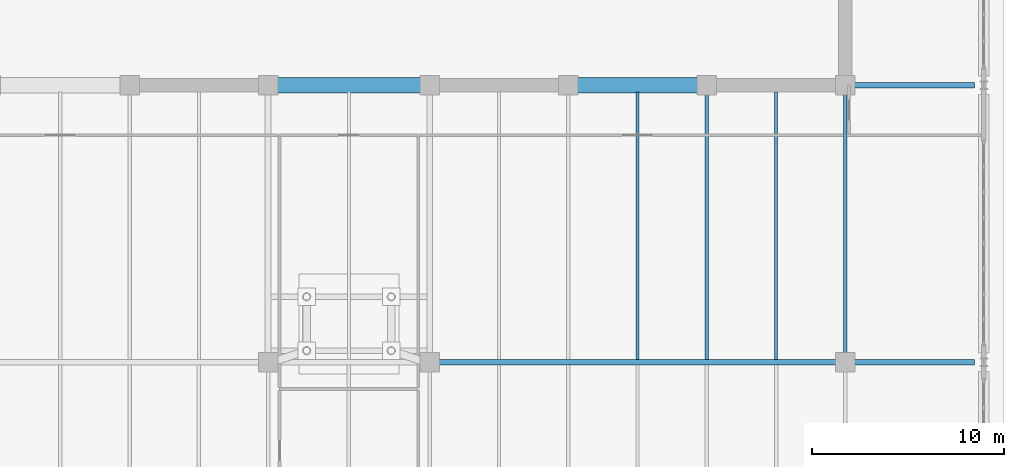
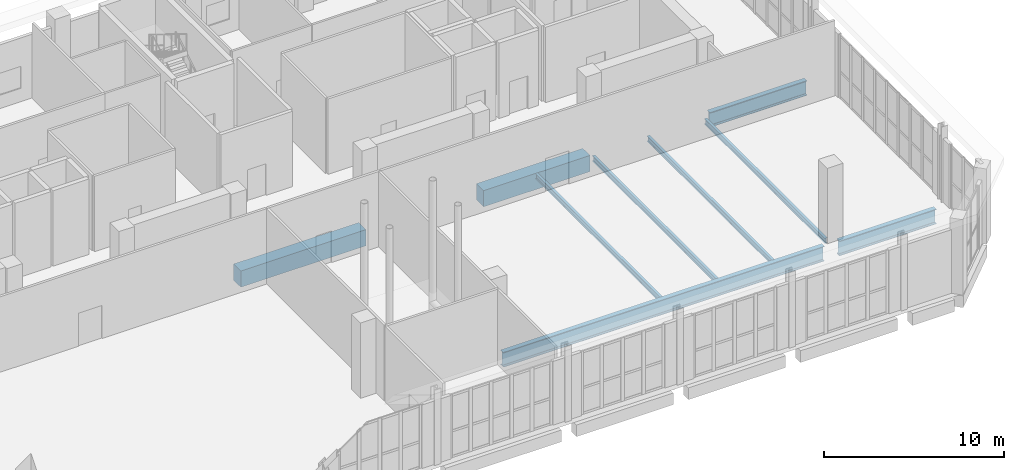
# One storey, part 11 of 26: 9 beams.
"""IFC4 building model written with IfcOpenShell, lengths in metres."""

from ifc_helpers import new_model, si_unit, direction, frame, origin, origin_2d, place, context, subcontext, project, spatial, rectangle, i_section, extrude, material, material_profile, profile_set, type_object, element, save


model = new_model("IFC4")

# Units and contexts
model_context = context("Model", 3, precision=1e-05, world=origin(), true_north=direction((0.0, 1.0)))
body_context = subcontext(model_context, "Body", "Model", "MODEL_VIEW")
ifc_project = project(units=[si_unit("LENGTHUNIT", "METRE"), si_unit("AREAUNIT", "SQUARE_METRE"), si_unit("VOLUMEUNIT", "CUBIC_METRE"), si_unit("PLANEANGLEUNIT", "RADIAN"), si_unit("MASSUNIT", "GRAM", prefix="KILO")], contexts=[model_context])

# Site, building, storey
site_placement = place(None, origin())
site = spatial("IfcSite", under=ifc_project, at=site_placement, CompositionType="ELEMENT")
building_placement = place(site_placement, origin())
building = spatial("IfcBuilding", under=site, at=building_placement, Name="Kaelvorn Grand Hotel", CompositionType="ELEMENT")
storey_placement = place(building_placement, frame((0.0, 0.0, 294.699951171875)))
storey = spatial("IfcBuildingStorey", under=building, at=storey_placement, Name="L72", CompositionType="ELEMENT", Elevation=294.699951171875)

# Beams
ifc_material_1 = material(Name="Steel S460", Category="steel")
ifc_material_profile_1 = material_profile(ifc_material_1, i_section(OverallWidth=0.302001953125, OverallDepth=1.008056640625, WebThickness=0.02099609375, FlangeThickness=0.0400390625, FilletRadius=0.024169921875, at=origin_2d()), Name="UB 1016x305x349")
ifc_profile_set_1 = profile_set([ifc_material_profile_1], Name="Steel S460")
beam_type_1 = type_object("IfcBeamType", Name="BM-G-UB1016-S460", PredefinedType="BEAM", material=ifc_profile_set_1)
beam_1_placement = place(storey_placement, frame((46.68505859375, 15.0, -0.884033203125), z_axis=(1.0, 0.0, 0.0), x_axis=(0.0, 1.0, 0.0)))
element("IfcBeam", 1, at=beam_1_placement, inside=storey, type_object=beam_type_1, Name="L72 Primary Spine Steel Girder G-15 04", PredefinedType="BEAM", context=body_context, shape_type="SweptSolid", body=[
    extrude(i_section(OverallWidth=0.302001953125, OverallDepth=1.008056640625, WebThickness=0.02099609375, FlangeThickness=0.0400390625, FilletRadius=0.024169921875, at=origin_2d()), origin(), (0.0, 0.0, 1.0), 20.6298828125),
])
for number, where, z_axis, x_axis, name in (
    (2, (68.284912109375, 15.0, -0.884033203125), (1.0, 0.0, 0.0), (0.0, 1.0, 0.0), "L72 Primary Spine Steel Girder G-15 05"),
    (3, (68.284912109375, 29.39990234375, -0.884033203125), (1.0, 0.0, 0.0), (0.0, 1.0, 0.0), "L72 East Core Wing Steel Girder G-29E 01"),
):
    element("IfcBeam", number, at=place(storey_placement, frame(where, z_axis=z_axis, x_axis=x_axis)), inside=storey, type_object=beam_type_1, Name=name, PredefinedType="BEAM", context=body_context, shape_type="SweptSolid", body=[
        extrude(i_section(OverallWidth=0.302001953125, OverallDepth=1.008056640625, WebThickness=0.02099609375, FlangeThickness=0.0400390625, FilletRadius=0.024169921875, at=origin_2d()), origin(), (0.0, 0.0, 1.0), 6.22998046875),
    ])
ifc_material_2 = material(Name="Steel S355", Category="steel")
ifc_material_profile_2 = material_profile(ifc_material_2, i_section(OverallWidth=0.169921875, OverallDepth=0.360107421875, WebThickness=0.008056640625, FlangeThickness=0.0126953125, FilletRadius=0.01806640625, at=origin_2d()), Name="IPE 360")
ifc_profile_set_2 = profile_set([ifc_material_profile_2], Name="Steel S355")
beam_type_2 = type_object("IfcBeamType", Name="BM-J-IPE360-S355", PredefinedType="JOIST", material=ifc_profile_set_2)
beam_2_placement = place(storey_placement, frame((57.0, 15.135986328125, -0.56005859375), z_axis=(0.0, 1.0, 0.0), x_axis=(-1.0, 0.0, 0.0)))
element("IfcBeam", 4, at=beam_2_placement, inside=storey, type_object=beam_type_2, Name="L72 Composite Floor Joist JM-16", PredefinedType="JOIST", context=body_context, shape_type="SweptSolid", body=[
    extrude(i_section(OverallWidth=0.169921875, OverallDepth=0.360107421875, WebThickness=0.008056640625, FlangeThickness=0.0126953125, FilletRadius=0.01806640625, at=origin_2d()), origin(), (0.0, 0.0, 1.0), 13.924072265625),
])
beam_3_placement = place(storey_placement, frame((60.60009765625, 15.135986328125, -0.56005859375), z_axis=(0.0, 1.0, 0.0), x_axis=(-1.0, 0.0, 0.0)))
element("IfcBeam", 5, at=beam_3_placement, inside=storey, type_object=beam_type_2, Name="L72 Composite Floor Joist JM-17", PredefinedType="JOIST", context=body_context, shape_type="SweptSolid", body=[
    extrude(i_section(OverallWidth=0.169921875, OverallDepth=0.360107421875, WebThickness=0.008056640625, FlangeThickness=0.0126953125, FilletRadius=0.01806640625, at=origin_2d()), origin(), (0.0, 0.0, 1.0), 13.779052734375),
])
beam_4_placement = place(storey_placement, frame((64.199951171875, 15.135986328125, -0.56005859375), z_axis=(0.0, 1.0, 0.0), x_axis=(-1.0, 0.0, 0.0)))
element("IfcBeam", 6, at=beam_4_placement, inside=storey, type_object=beam_type_2, Name="L72 Composite Floor Joist JM-18", PredefinedType="JOIST", context=body_context, shape_type="SweptSolid", body=[
    extrude(i_section(OverallWidth=0.169921875, OverallDepth=0.360107421875, WebThickness=0.008056640625, FlangeThickness=0.0126953125, FilletRadius=0.01806640625, at=origin_2d()), origin(), (0.0, 0.0, 1.0), 13.924072265625),
])
beam_5_placement = place(storey_placement, frame((67.800048828125, 15.485107421875, -0.56005859375), z_axis=(0.0, 1.0, 0.0), x_axis=(-1.0, 0.0, 0.0)))
element("IfcBeam", 7, at=beam_5_placement, inside=storey, type_object=beam_type_2, Name="L72 Composite Floor Joist JM-19", PredefinedType="JOIST", context=body_context, shape_type="SweptSolid", body=[
    extrude(i_section(OverallWidth=0.169921875, OverallDepth=0.360107421875, WebThickness=0.008056640625, FlangeThickness=0.0126953125, FilletRadius=0.01806640625, at=origin_2d()), origin(), (0.0, 0.0, 1.0), 13.429931640625),
])
ifc_material_3 = material(Name="Concrete C60/75", Category="concrete")
ifc_material_profile_3 = material_profile(ifc_material_3, rectangle(XDim=0.800048828125, YDim=1.10009765625, at=origin_2d()), Name="RC LINTEL 800x1100")
ifc_profile_set_3 = profile_set([ifc_material_profile_3], Name="Concrete C60/75")
beam_type_3 = type_object("IfcBeamType", Name="BM-LIN-800x1100-C60", PredefinedType="LINTEL", material=ifc_profile_set_3)
beam_6_placement = place(storey_placement, frame((37.97998046875, 29.39990234375, -0.929931640625), z_axis=(1.0, 0.0, 0.0), x_axis=(0.0, 1.0, 0.0)))
element("IfcBeam", 8, at=beam_6_placement, inside=storey, type_object=beam_type_3, Name="L72 Rear-Core Coupling Lintel Beam CB1-02", PredefinedType="LINTEL", context=body_context, shape_type="SweptSolid", body=[
    extrude(rectangle(XDim=0.800048828125, YDim=1.10009765625, at=origin_2d()), origin(), (0.0, 0.0, 1.0), 8.0400390625),
])
beam_7_placement = place(storey_placement, frame((53.580078125, 29.39990234375, -0.929931640625), z_axis=(1.0, 0.0, 0.0), x_axis=(0.0, 1.0, 0.0)))
element("IfcBeam", 9, at=beam_7_placement, inside=storey, type_object=beam_type_3, Name="L72 Rear-Core Coupling Lintel Beam CB1-03", PredefinedType="LINTEL", context=body_context, shape_type="SweptSolid", body=[
    extrude(rectangle(XDim=0.800048828125, YDim=1.10009765625, at=origin_2d()), origin(), (0.0, 0.0, 1.0), 6.83984375),
])

save(model, "model.ifc")
